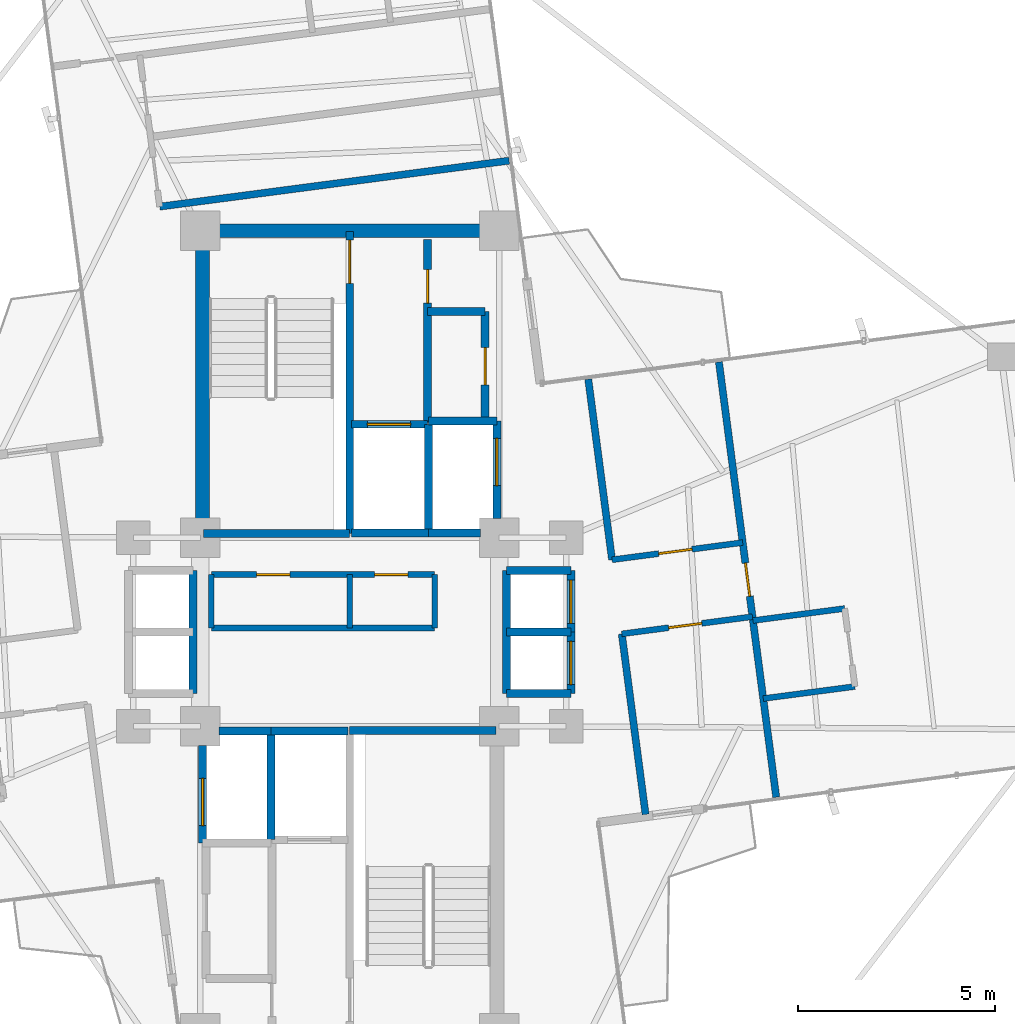
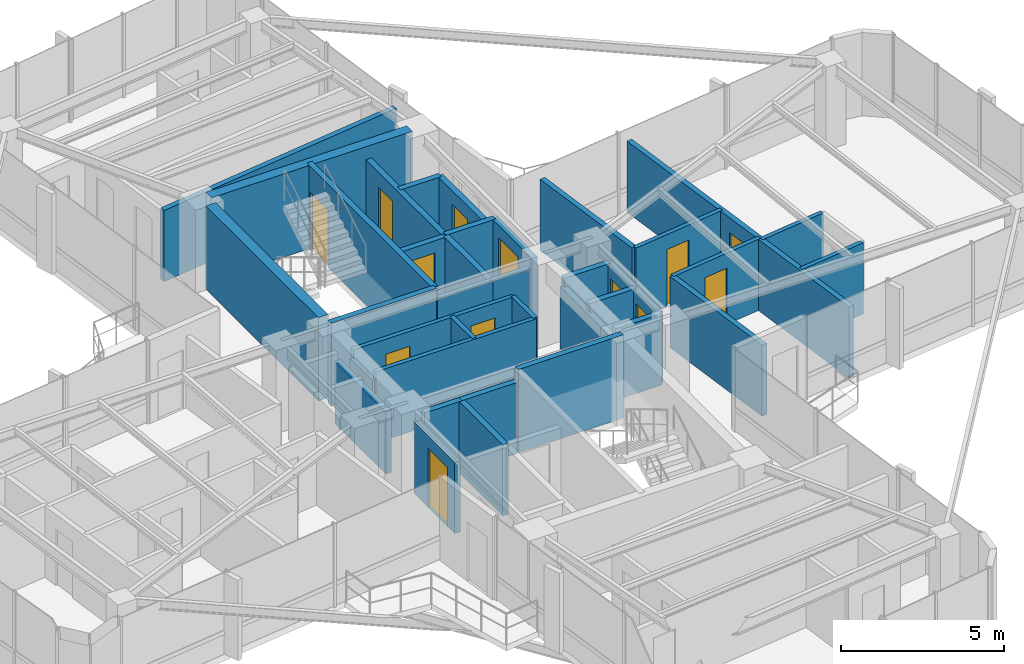
# One storey, part 20 of 22: 38 walls, 13 doors, 13 openings.
"""IFC4 building model written with IfcOpenShell, lengths in metres."""

from ifc_helpers import new_model, si_unit, direction, frame, frame_2d, origin, origin_2d, place, context, subcontext, project, spatial, rectangle, extrude, source, transform, mapped, material, layer, layer_set, type_object, element, fill, save


model = new_model("IFC4")

# Units and contexts
model_context = context("Model", 3, precision=1e-05, world=origin(), true_north=direction((0.0, 1.0)))
body_context = subcontext(model_context, "Body", "Model", "MODEL_VIEW")
ifc_project = project(units=[si_unit("LENGTHUNIT", "METRE"), si_unit("AREAUNIT", "SQUARE_METRE"), si_unit("VOLUMEUNIT", "CUBIC_METRE"), si_unit("PLANEANGLEUNIT", "RADIAN"), si_unit("MASSUNIT", "GRAM", prefix="KILO")], contexts=[model_context])

# Site, building, storey
site_placement = place(None, origin())
site = spatial("IfcSite", under=ifc_project, at=site_placement, CompositionType="ELEMENT")
building_placement = place(site_placement, origin())
building = spatial("IfcBuilding", under=site, at=building_placement, Name="Sahyath Konkavel Grand Hotel", CompositionType="ELEMENT")
storey_placement = place(building_placement, frame((0.0, 0.0, 234.449951171875)))
storey = spatial("IfcBuildingStorey", under=building, at=storey_placement, Name="L65", CompositionType="ELEMENT", Elevation=234.449951171875)

# Walls
ifc_material_1 = material(Name="Concrete C40/50", Category="concrete")
ifc_layer_1 = layer(ifc_material_1, 0.35009765625)
ifc_layer_set_1 = layer_set([ifc_layer_1], Name="Concrete C40/50")
wall_type_1 = type_object("IfcWallType", Name="CWALL-350", PredefinedType="SHEAR", material=ifc_layer_set_1)
wall_1_placement = place(storey_placement, frame((-3.550048828125, 10.199951171875, 0.0), z_axis=(0.0, 0.0, 1.0), x_axis=(1.0, 0.0, 0.0)))
element("IfcWall", 1, at=wall_1_placement, inside=storey, type_object=wall_type_1, Name="L65 North Core Shear Wall N", PredefinedType="SHEAR", context=body_context, shape_type="SweptSolid", body=[
    extrude(rectangle(XDim=7.10009765625, YDim=0.35009765625, at=frame_2d((3.550048828125, 0.0))), origin(), (0.0, 0.0, 1.0), 3.110107421875),
])
wall_2_placement = place(storey_placement, frame((-3.739990234375, 2.85009765625, 0.0), z_axis=(0.0, 0.0, 1.0), x_axis=(0.0, 1.0, 0.0)))
element("IfcWall", 2, at=wall_2_placement, inside=storey, type_object=wall_type_1, Name="L65 North Core Shear Wall W", PredefinedType="SHEAR", context=body_context, shape_type="SweptSolid", body=[
    extrude(rectangle(XDim=6.89990234375, YDim=0.35009765625, at=frame_2d((3.449951171875, 0.0))), origin(), (0.0, 0.0, 1.0), 3.110107421875),
])

# Wall, opening, door
ifc_layer_2 = layer(ifc_material_1, 0.199951171875)
ifc_layer_set_2 = layer_set([ifc_layer_2], Name="Concrete C40/50")
wall_type_2 = type_object("IfcWallType", Name="WLL-CORE-200", PredefinedType="SOLIDWALL", material=ifc_layer_set_2)
wall_3_placement = place(storey_placement, frame((0.0, 2.5, 0.0), z_axis=(0.0, 0.0, 1.0), x_axis=(0.0, 1.0, 0.0)))
wall_3 = element("IfcWall", 3, at=wall_3_placement, inside=storey, type_object=wall_type_2, Name="L65 Stair ST-1 Shaft Wall E", PredefinedType="SOLIDWALL", context=body_context, shape_type="SweptSolid", body=[
    extrude(rectangle(XDim=7.679931640625, YDim=0.199951171875, at=frame_2d((3.83984375, 0.0))), origin(), (0.0, 0.0, 1.0), 3.110107421875),
])
opening_1_placement = place(wall_3_placement, frame((6.360107421875, 0.0, 0.0)))
opening_1 = element("IfcOpeningElement", 4, at=opening_1_placement, cuts=wall_3, Name="Opening D-F12B", PredefinedType="OPENING", context=body_context, shape_type="SweptSolid", body=[
    extrude(rectangle(XDim=1.10009765625, YDim=2.14990234375, at=frame_2d((0.550048828125, 1.074951171875))), frame((0.0, 0.10986328125, 0.0), z_axis=(0.0, -1.0, 0.0), x_axis=(1.0, 0.0, 0.0)), (0.0, 0.0, 1.0), 0.219970703125),
])
ifc_material_2 = material(Name="Steel E350 Smokeproof Fire Door", Category="steel")
door_type_1 = type_object("IfcDoorType", Name="DR-FD120-1100", OperationType="NOTDEFINED", PredefinedType="DOOR", material=ifc_material_2)
shared_shape_1 = source(origin(), body_context, "Body", "SweptSolid", [
    extrude(rectangle(XDim=1.10009765625, YDim=0.050048828125, at=origin_2d()), origin(), (0.0, 0.0, 1.0), 2.14990234375),
])
door_1_placement = place(opening_1_placement, frame((0.550048828125, 0.0, 0.0)))
door_1 = element("IfcDoor", 5, at=door_1_placement, inside=storey, type_object=door_type_1, Name="L65 Stair ST-1 Fire Door", OperationType="SINGLE_SWING_LEFT", OverallHeight=2.14990234375, OverallWidth=1.10009765625, PredefinedType="DOOR", context=body_context, shape_type="MappedRepresentation", body=[
    mapped(shared_shape_1, transform((0.0, 0.0, 0.0), scale=1.0)),
])
fill(opening_1, door_1)

# Walls
for number, where, z_axis, x_axis, name in (
    (6, (-3.719970703125, 2.5, 0.0), (0.0, 0.0, 1.0), (1.0, 0.0, 0.0), "L65 Stair ST-1 Shaft Wall S"),
    (7, (0.0, -2.5, 0.0), (0.0, 0.0, 1.0), (1.0, 0.0, 0.0), "L65 Stair ST-2 Shaft Wall N"),
):
    element("IfcWall", number, at=place(storey_placement, frame(where, z_axis=z_axis, x_axis=x_axis)), inside=storey, type_object=wall_type_2, Name=name, PredefinedType="SOLIDWALL", context=body_context, shape_type="SweptSolid", body=[
        extrude(rectangle(XDim=3.719970703125, YDim=0.199951171875, at=frame_2d((1.85986328125, 0.0))), origin(), (0.0, 0.0, 1.0), 3.110107421875),
    ])

# Wall, opening, door
wall_4_placement = place(storey_placement, frame((1.97998046875, 5.320068359375, 0.0), z_axis=(0.0, 0.0, 1.0), x_axis=(0.0, 1.0, 0.0)))
wall_4 = element("IfcWall", 8, at=wall_4_placement, inside=storey, type_object=wall_type_2, Name="L65 North Firefighting Lobby Wall E", PredefinedType="SOLIDWALL", context=body_context, shape_type="SweptSolid", body=[
    extrude(rectangle(XDim=4.659912109375, YDim=0.199951171875, at=frame_2d((2.330078125, 0.0))), origin(), (0.0, 0.0, 1.0), 2.66015625),
])
opening_2_placement = place(wall_4_placement, frame((3.0400390625, 0.0, 0.0)))
opening_2 = element("IfcOpeningElement", 9, at=opening_2_placement, cuts=wall_4, Name="Opening D-F12D", PredefinedType="OPENING", context=body_context, shape_type="SweptSolid", body=[
    extrude(rectangle(XDim=0.85009765625, YDim=2.10009765625, at=frame_2d((0.425048828125, 1.050048828125))), frame((0.0, 0.10986328125, 0.0), z_axis=(0.0, -1.0, 0.0), x_axis=(1.0, 0.0, 0.0)), (0.0, 0.0, 1.0), 0.219970703125),
])
ifc_material_3 = material(Name="Steel E350 Core Fire Door", Category="steel")
door_type_2 = type_object("IfcDoorType", Name="DR-FD120-850", OperationType="NOTDEFINED", PredefinedType="DOOR", material=ifc_material_3)
shared_shape_2 = source(origin(), body_context, "Body", "SweptSolid", [
    extrude(rectangle(XDim=0.85009765625, YDim=0.050048828125, at=origin_2d()), origin(), (0.0, 0.0, 1.0), 2.10009765625),
])
door_2_placement = place(opening_2_placement, frame((0.425048828125, 0.0, 0.0)))
door_2 = element("IfcDoor", 10, at=door_2_placement, inside=storey, type_object=door_type_2, Name="L65 North Firefighting Lobby Door", OperationType="SINGLE_SWING_LEFT", OverallHeight=2.10009765625, OverallWidth=0.85009765625, PredefinedType="DOOR", context=body_context, shape_type="MappedRepresentation", body=[
    mapped(shared_shape_2, transform((0.0, 0.0, 0.0), scale=1.0)),
])
fill(opening_2, door_2)

# Walls
wall_5_placement = place(storey_placement, frame((2.0, 2.5, 0.0), z_axis=(0.0, 0.0, 1.0), x_axis=(0.0, 1.0, 0.0)))
element("IfcWall", 11, at=wall_5_placement, inside=storey, type_object=wall_type_2, Name="L65 Partition SH-FFL1-E", PredefinedType="SOLIDWALL", context=body_context, shape_type="SweptSolid", body=[
    extrude(rectangle(XDim=2.780029296875, YDim=0.199951171875, at=frame_2d((1.39013671875, 0.0))), origin(), (0.0, 0.0, 1.0), 2.66015625),
])
wall_6_placement = place(storey_placement, frame((0.050048828125, 2.52001953125, 0.0), z_axis=(0.0, 0.0, 1.0), x_axis=(1.0, 0.0, 0.0)))
element("IfcWall", 12, at=wall_6_placement, inside=storey, type_object=wall_type_2, Name="L65 Partition SH-FFL1-S", PredefinedType="SOLIDWALL", context=body_context, shape_type="SweptSolid", body=[
    extrude(rectangle(XDim=1.949951171875, YDim=0.199951171875, at=frame_2d((0.97509765625, 0.0))), origin(), (0.0, 0.0, 1.0), 2.66015625),
])

# Wall, opening, door
wall_7_placement = place(storey_placement, frame((0.050048828125, 5.280029296875, 0.0), z_axis=(0.0, 0.0, 1.0), x_axis=(1.0, 0.0, 0.0)))
wall_7 = element("IfcWall", 13, at=wall_7_placement, inside=storey, type_object=wall_type_2, Name="L65 Partition SH-FFL1-N", PredefinedType="SOLIDWALL", context=body_context, shape_type="SweptSolid", body=[
    extrude(rectangle(XDim=1.929931640625, YDim=0.199951171875, at=frame_2d((0.96484375, 0.0))), origin(), (0.0, 0.0, 1.0), 2.66015625),
])
opening_3_placement = place(wall_7_placement, frame((0.39990234375, 0.0, 0.0)))
opening_3 = element("IfcOpeningElement", 14, at=opening_3_placement, cuts=wall_7, Name="Opening LD-11", PredefinedType="OPENING", context=body_context, shape_type="SweptSolid", body=[
    extrude(rectangle(XDim=1.10009765625, YDim=2.199951171875, at=frame_2d((0.550048828125, 1.10009765625))), frame((0.0, 0.10986328125, 0.0), z_axis=(0.0, -1.0, 0.0), x_axis=(1.0, 0.0, 0.0)), (0.0, 0.0, 1.0), 0.219970703125),
])
ifc_material_4 = material(Name="Bronze Lift Landing Door 1100")
door_type_3 = type_object("IfcDoorType", Name="DR-LIFT-1100", OperationType="DOUBLE_DOOR_SLIDING", PredefinedType="DOOR", material=ifc_material_4)
shared_shape_3 = source(origin(), body_context, "Body", "SweptSolid", [
    extrude(rectangle(XDim=1.10009765625, YDim=0.050048828125, at=origin_2d()), origin(), (0.0, 0.0, 1.0), 2.199951171875),
])
door_3_placement = place(opening_3_placement, frame((0.550048828125, 0.0, 0.0)))
door_3 = element("IfcDoor", 15, at=door_3_placement, inside=storey, type_object=door_type_3, Name="L65 Lift FFL-1 Landing Door", OperationType="DOUBLE_DOOR_SLIDING", OverallHeight=2.199951171875, OverallWidth=1.10009765625, PredefinedType="DOOR", context=body_context, shape_type="MappedRepresentation", body=[
    mapped(shared_shape_3, transform((0.0, 0.0, 0.0), scale=1.0)),
])
fill(opening_3, door_3)

# Walls
wall_8_placement = place(storey_placement, frame((-2.0, -5.280029296875, 0.0), z_axis=(0.0, 0.0, 1.0), x_axis=(0.0, 1.0, 0.0)))
element("IfcWall", 16, at=wall_8_placement, inside=storey, type_object=wall_type_2, Name="L65 Partition SH-FFL2-W", PredefinedType="SOLIDWALL", context=body_context, shape_type="SweptSolid", body=[
    extrude(rectangle(XDim=2.780029296875, YDim=0.199951171875, at=frame_2d((1.39013671875, 0.0))), origin(), (0.0, 0.0, 1.0), 2.66015625),
])
wall_9_placement = place(storey_placement, frame((-2.0, -2.52001953125, 0.0), z_axis=(0.0, 0.0, 1.0), x_axis=(1.0, 0.0, 0.0)))
element("IfcWall", 17, at=wall_9_placement, inside=storey, type_object=wall_type_2, Name="L65 Partition SH-FFL2-N", PredefinedType="SOLIDWALL", context=body_context, shape_type="SweptSolid", body=[
    extrude(rectangle(XDim=1.949951171875, YDim=0.199951171875, at=frame_2d((0.97509765625, 0.0))), origin(), (0.0, 0.0, 1.0), 2.66015625),
])
wall_10_placement = place(storey_placement, frame((2.0, 2.52001953125, 0.0), z_axis=(0.0, 0.0, 1.0), x_axis=(1.0, 0.0, 0.0)))
element("IfcWall", 18, at=wall_10_placement, inside=storey, type_object=wall_type_2, Name="L65 Partition SH-SVL1-S", PredefinedType="SOLIDWALL", context=body_context, shape_type="SweptSolid", body=[
    extrude(rectangle(XDim=1.320068359375, YDim=0.199951171875, at=frame_2d((0.66015625, 0.0))), origin(), (0.0, 0.0, 1.0), 2.66015625),
])
wall_11_placement = place(storey_placement, frame((2.0, 5.360107421875, 0.0), z_axis=(0.0, 0.0, 1.0), x_axis=(1.0, 0.0, 0.0)))
element("IfcWall", 19, at=wall_11_placement, inside=storey, type_object=wall_type_2, Name="L65 Partition SH-SVL1-N", PredefinedType="SOLIDWALL", context=body_context, shape_type="SweptSolid", body=[
    extrude(rectangle(XDim=1.739990234375, YDim=0.199951171875, at=frame_2d((0.8701171875, 0.0))), origin(), (0.0, 0.0, 1.0), 2.66015625),
])

# Wall, opening, door
wall_12_placement = place(storey_placement, frame((3.739990234375, 2.8798828125, 0.0), z_axis=(0.0, 0.0, 1.0), x_axis=(0.0, 1.0, 0.0)))
wall_12 = element("IfcWall", 20, at=wall_12_placement, inside=storey, type_object=wall_type_2, Name="L65 Partition SH-SVL1-E", PredefinedType="SOLIDWALL", context=body_context, shape_type="SweptSolid", body=[
    extrude(rectangle(XDim=2.480224609375, YDim=0.199951171875, at=frame_2d((1.240234375, 0.0))), origin(), (0.0, 0.0, 1.0), 2.66015625),
])
opening_4_placement = place(wall_12_placement, frame((0.840087890625, 0.0, 0.0)))
opening_4 = element("IfcOpeningElement", 21, at=opening_4_placement, cuts=wall_12, Name="Opening LD-12", PredefinedType="OPENING", context=body_context, shape_type="SweptSolid", body=[
    extrude(rectangle(XDim=1.199951171875, YDim=2.199951171875, at=frame_2d((0.60009765625, 1.10009765625))), frame((0.0, 0.10986328125, 0.0), z_axis=(0.0, -1.0, 0.0), x_axis=(1.0, 0.0, 0.0)), (0.0, 0.0, 1.0), 0.219970703125),
])
ifc_material_5 = material(Name="Stainless Steel Lift Landing Door 1200", Category="steel")
door_type_4 = type_object("IfcDoorType", Name="DR-LIFT-1200", OperationType="DOUBLE_DOOR_SLIDING", PredefinedType="DOOR", material=ifc_material_5)
shared_shape_4 = source(origin(), body_context, "Body", "SweptSolid", [
    extrude(rectangle(XDim=1.199951171875, YDim=0.050048828125, at=origin_2d()), origin(), (0.0, 0.0, 1.0), 2.199951171875),
])
door_4_placement = place(opening_4_placement, frame((0.60009765625, 0.0, 0.0)))
door_4 = element("IfcDoor", 22, at=door_4_placement, inside=storey, type_object=door_type_4, Name="L65 Service Lift SVL-1 Landing Door", OperationType="DOUBLE_DOOR_SLIDING", OverallHeight=2.199951171875, OverallWidth=1.199951171875, PredefinedType="DOOR", context=body_context, shape_type="MappedRepresentation", body=[
    mapped(shared_shape_4, transform((0.0, 0.0, 0.0), scale=1.0)),
])
fill(opening_4, door_4)

# Wall
wall_13_placement = place(storey_placement, frame((-3.320068359375, -2.52001953125, 0.0), z_axis=(0.0, 0.0, 1.0), x_axis=(1.0, 0.0, 0.0)))
element("IfcWall", 23, at=wall_13_placement, inside=storey, type_object=wall_type_2, Name="L65 Partition SH-SVL2-N", PredefinedType="SOLIDWALL", context=body_context, shape_type="SweptSolid", body=[
    extrude(rectangle(XDim=1.320068359375, YDim=0.199951171875, at=frame_2d((0.66015625, 0.0))), origin(), (0.0, 0.0, 1.0), 2.66015625),
])

# Wall, opening, door
wall_14_placement = place(storey_placement, frame((-3.739990234375, -5.360107421875, 0.0), z_axis=(0.0, 0.0, 1.0), x_axis=(0.0, 1.0, 0.0)))
wall_14 = element("IfcWall", 24, at=wall_14_placement, inside=storey, type_object=wall_type_2, Name="L65 Partition SH-SVL2-W", PredefinedType="SOLIDWALL", context=body_context, shape_type="SweptSolid", body=[
    extrude(rectangle(XDim=2.480224609375, YDim=0.199951171875, at=frame_2d((1.240234375, 0.0))), origin(), (0.0, 0.0, 1.0), 2.66015625),
])
opening_5_placement = place(wall_14_placement, frame((0.43994140625, 0.0, 0.0)))
opening_5 = element("IfcOpeningElement", 25, at=opening_5_placement, cuts=wall_14, Name="Opening LD-12", PredefinedType="OPENING", context=body_context, shape_type="SweptSolid", body=[
    extrude(rectangle(XDim=1.199951171875, YDim=2.199951171875, at=frame_2d((0.60009765625, 1.10009765625))), frame((0.0, 0.10986328125, 0.0), z_axis=(0.0, -1.0, 0.0), x_axis=(1.0, 0.0, 0.0)), (0.0, 0.0, 1.0), 0.219970703125),
])
door_5_placement = place(opening_5_placement, frame((0.60009765625, 0.0, 0.0)))
door_5 = element("IfcDoor", 26, at=door_5_placement, inside=storey, type_object=door_type_4, Name="L65 Service Lift SVL-2 Landing Door", OperationType="DOUBLE_DOOR_SLIDING", OverallHeight=2.199951171875, OverallWidth=1.199951171875, PredefinedType="DOOR", context=body_context, shape_type="MappedRepresentation", body=[
    mapped(shared_shape_4, transform((0.0, 0.0, 0.0), scale=1.0)),
])
fill(opening_5, door_5)

# Walls
wall_15_placement = place(storey_placement, frame((3.97998046875, -1.56005859375, 0.0), z_axis=(0.0, 0.0, 1.0), x_axis=(0.0, 1.0, 0.0)))
element("IfcWall", 27, at=wall_15_placement, inside=storey, type_object=wall_type_2, Name="L65 Partition SH-PL56-W", PredefinedType="SOLIDWALL", context=body_context, shape_type="SweptSolid", body=[
    extrude(rectangle(XDim=3.1201171875, YDim=0.199951171875, at=frame_2d((1.56005859375, 0.0))), origin(), (0.0, 0.0, 1.0), 2.330078125),
])
for number, where, z_axis, x_axis, name in (
    (28, (3.97998046875, 1.56005859375, 0.0), (0.0, 0.0, 1.0), (1.0, 0.0, 0.0), "L65 Partition SH-PL56-N"),
    (29, (3.97998046875, -1.56005859375, 0.0), (0.0, 0.0, 1.0), (1.0, 0.0, 0.0), "L65 Partition SH-PL56-S"),
    (30, (3.97998046875, 0.0, 0.0), (0.0, 0.0, 1.0), (1.0, 0.0, 0.0), "L65 Partition SH-PL56-M"),
):
    element("IfcWall", number, at=place(storey_placement, frame(where, z_axis=z_axis, x_axis=x_axis)), inside=storey, type_object=wall_type_2, Name=name, PredefinedType="SOLIDWALL", context=body_context, shape_type="SweptSolid", body=[
        extrude(rectangle(XDim=1.64013671875, YDim=0.199951171875, at=frame_2d((0.820068359375, 0.0))), origin(), (0.0, 0.0, 1.0), 2.66015625),
    ])

# Wall, opening, door
wall_16_placement = place(storey_placement, frame((5.6201171875, 0.0, 0.0), z_axis=(0.0, 0.0, 1.0), x_axis=(0.0, 1.0, 0.0)))
wall_16 = element("IfcWall", 31, at=wall_16_placement, inside=storey, type_object=wall_type_2, Name="L65 Partition SH-PL5-E", PredefinedType="SOLIDWALL", context=body_context, shape_type="SweptSolid", body=[
    extrude(rectangle(XDim=1.56005859375, YDim=0.199951171875, at=frame_2d((0.780029296875, 0.0))), origin(), (0.0, 0.0, 1.0), 2.66015625),
])
opening_6_placement = place(wall_16_placement, frame((0.219970703125, 0.0, 0.0)))
opening_6 = element("IfcOpeningElement", 32, at=opening_6_placement, cuts=wall_16, Name="Opening LD-11", PredefinedType="OPENING", context=body_context, shape_type="SweptSolid", body=[
    extrude(rectangle(XDim=1.10009765625, YDim=2.199951171875, at=frame_2d((0.550048828125, 1.10009765625))), frame((0.0, 0.10986328125, 0.0), z_axis=(0.0, -1.0, 0.0), x_axis=(1.0, 0.0, 0.0)), (0.0, 0.0, 1.0), 0.219970703125),
])
door_6_placement = place(opening_6_placement, frame((0.550048828125, 0.0, 0.0)))
door_6 = element("IfcDoor", 33, at=door_6_placement, inside=storey, type_object=door_type_3, Name="L65 High-Rise Lift PL-5 Landing Door", OperationType="DOUBLE_DOOR_SLIDING", OverallHeight=2.199951171875, OverallWidth=1.10009765625, PredefinedType="DOOR", context=body_context, shape_type="MappedRepresentation", body=[
    mapped(shared_shape_3, transform((0.0, 0.0, 0.0), scale=1.0)),
])
fill(opening_6, door_6)

wall_17_placement = place(storey_placement, frame((5.6201171875, -1.56005859375, 0.0), z_axis=(0.0, 0.0, 1.0), x_axis=(0.0, 1.0, 0.0)))
wall_17 = element("IfcWall", 34, at=wall_17_placement, inside=storey, type_object=wall_type_2, Name="L65 Partition SH-PL6-E", PredefinedType="SOLIDWALL", context=body_context, shape_type="SweptSolid", body=[
    extrude(rectangle(XDim=1.56005859375, YDim=0.199951171875, at=frame_2d((0.780029296875, 0.0))), origin(), (0.0, 0.0, 1.0), 2.66015625),
])
opening_7_placement = place(wall_17_placement, frame((0.219970703125, 0.0, 0.0)))
opening_7 = element("IfcOpeningElement", 35, at=opening_7_placement, cuts=wall_17, Name="Opening LD-11", PredefinedType="OPENING", context=body_context, shape_type="SweptSolid", body=[
    extrude(rectangle(XDim=1.10009765625, YDim=2.199951171875, at=frame_2d((0.550048828125, 1.10009765625))), frame((0.0, 0.10986328125, 0.0), z_axis=(0.0, -1.0, 0.0), x_axis=(1.0, 0.0, 0.0)), (0.0, 0.0, 1.0), 0.219970703125),
])
door_7_placement = place(opening_7_placement, frame((0.550048828125, 0.0, 0.0)))
door_7 = element("IfcDoor", 36, at=door_7_placement, inside=storey, type_object=door_type_3, Name="L65 High-Rise Lift PL-6 Landing Door", OperationType="DOUBLE_DOOR_SLIDING", OverallHeight=2.199951171875, OverallWidth=1.10009765625, PredefinedType="DOOR", context=body_context, shape_type="MappedRepresentation", body=[
    mapped(shared_shape_3, transform((0.0, 0.0, 0.0), scale=1.0)),
])
fill(opening_7, door_7)

# Wall
wall_18_placement = place(storey_placement, frame((-3.97998046875, -1.56005859375, 0.0), z_axis=(0.0, 0.0, 1.0), x_axis=(0.0, 1.0, 0.0)))
element("IfcWall", 37, at=wall_18_placement, inside=storey, type_object=wall_type_2, Name="L65 Partition SH-SL12-E", PredefinedType="SOLIDWALL", context=body_context, shape_type="SweptSolid", body=[
    extrude(rectangle(XDim=3.1201171875, YDim=0.199951171875, at=frame_2d((1.56005859375, 0.0))), origin(), (0.0, 0.0, 1.0), 2.330078125),
])

# Wall, opening, door
wall_19_placement = place(storey_placement, frame((3.43994140625, 5.3798828125, 0.0), z_axis=(0.0, 0.0, 1.0), x_axis=(0.0, 1.0, 0.0)))
wall_19 = element("IfcWall", 38, at=wall_19_placement, inside=storey, type_object=wall_type_2, Name="L65 Reclaimed North Core Wall E", PredefinedType="SOLIDWALL", context=body_context, shape_type="SweptSolid", body=[
    extrude(rectangle(XDim=2.77001953125, YDim=0.199951171875, at=frame_2d((1.385009765625, 0.0))), origin(), (0.0, 0.0, 1.0), 2.66015625),
])
opening_8_placement = place(wall_19_placement, frame((0.89990234375, 0.0, 0.0)))
opening_8 = element("IfcOpeningElement", 39, at=opening_8_placement, cuts=wall_19, Name="Opening D-F06B", PredefinedType="OPENING", context=body_context, shape_type="SweptSolid", body=[
    extrude(rectangle(XDim=0.949951171875, YDim=2.14990234375, at=frame_2d((0.47509765625, 1.074951171875))), frame((0.0, 0.10986328125, 0.0), z_axis=(0.0, -1.0, 0.0), x_axis=(1.0, 0.0, 0.0)), (0.0, 0.0, 1.0), 0.219970703125),
])
ifc_material_6 = material(Name="Teak Veneer Fire-Rated Guest Entrance Door")
door_type_5 = type_object("IfcDoorType", Name="DR-FD60-950", OperationType="NOTDEFINED", PredefinedType="DOOR", material=ifc_material_6)
shared_shape_5 = source(origin(), body_context, "Body", "SweptSolid", [
    extrude(rectangle(XDim=0.949951171875, YDim=0.050048828125, at=origin_2d()), origin(), (0.0, 0.0, 1.0), 2.14990234375),
])
door_8_placement = place(opening_8_placement, frame((0.47509765625, 0.0, 0.0)))
door_8 = element("IfcDoor", 40, at=door_8_placement, inside=storey, type_object=door_type_5, Name="L65 Door NC-REC1-D", OperationType="SINGLE_SWING_LEFT", OverallHeight=2.14990234375, OverallWidth=0.949951171875, PredefinedType="DOOR", context=body_context, shape_type="MappedRepresentation", body=[
    mapped(shared_shape_5, transform((0.0, 0.0, 0.0), scale=1.0)),
])
fill(opening_8, door_8)

# Walls
wall_20_placement = place(storey_placement, frame((1.97998046875, 8.14990234375, 0.0), z_axis=(0.0, 0.0, 1.0), x_axis=(1.0, 0.0, 0.0)))
element("IfcWall", 41, at=wall_20_placement, inside=storey, type_object=wall_type_2, Name="L65 Partition NC-REC-N", PredefinedType="SOLIDWALL", context=body_context, shape_type="SweptSolid", body=[
    extrude(rectangle(XDim=1.4599609375, YDim=0.199951171875, at=frame_2d((0.72998046875, 0.0))), origin(), (0.0, 0.0, 1.0), 2.66015625),
])
ifc_material_7 = material(Name="Twin-Stud Acoustic Gypsum Plasterboard Partition")
ifc_layer_3 = layer(ifc_material_7, 0.179931640625)
ifc_layer_set_3 = layer_set([ifc_layer_3], Name="Twin-Stud Acoustic Gypsum Plasterboard Partition")
wall_type_3 = type_object("IfcWallType", Name="WLL-DEMISE-180", PredefinedType="PARTITIONING", material=ifc_layer_set_3)
for number, where, z_axis, x_axis, name in (
    (42, (6.66748046875, 1.8359375, 0.0), (0.0, 0.0, 1.0), (-0.130536371683, 0.991443521169, 0.0), "L65 Partition E-INL"),
    (43, (7.51953125, -4.63720703125, 0.0), (0.0, 0.0, 1.0), (-0.130536371683, 0.991443521169, 0.0), "L65 Partition E-INR"),
):
    element("IfcWall", number, at=place(storey_placement, frame(where, z_axis=z_axis, x_axis=x_axis)), inside=storey, type_object=wall_type_3, Name=name, PredefinedType="PARTITIONING", context=body_context, shape_type="SweptSolid", body=[
        extrude(rectangle(XDim=4.62890625, YDim=0.179931640625, at=frame_2d((2.314453125, 0.0))), origin(), (0.0, 0.0, 1.0), 2.66015625),
    ])

# Wall, opening, door
wall_21_placement = place(storey_placement, frame((10.8408203125, -4.199951171875, 0.0), z_axis=(0.0, 0.0, 1.0), x_axis=(-0.130516772493, 0.991446101459, 0.0)))
wall_21 = element("IfcWall", 44, at=wall_21_placement, inside=storey, type_object=wall_type_3, Name="L65 Partition E-ETIP-END", PredefinedType="PARTITIONING", context=body_context, shape_type="SweptSolid", body=[
    extrude(rectangle(XDim=11.157958984375, YDim=0.179931640625, at=frame_2d((5.5791015625, 0.0))), origin(), (0.0, 0.0, 1.0), 2.66015625),
])
opening_9_placement = place(wall_21_placement, frame((5.154052734375, 0.0, 0.0)))
opening_9 = element("IfcOpeningElement", 45, at=opening_9_placement, cuts=wall_21, Name="Opening D-F06D", PredefinedType="OPENING", context=body_context, shape_type="SweptSolid", body=[
    extrude(rectangle(XDim=0.85009765625, YDim=2.10009765625, at=frame_2d((0.425048828125, 1.050048828125))), frame((0.0, 0.10009765625, 0.0), z_axis=(0.0, -1.0, 0.0), x_axis=(1.0, 0.0, 0.0)), (0.0, 0.0, 1.0), 0.199951171875),
])
ifc_material_8 = material(Name="Fire-Rated Shaft Access Door")
door_type_6 = type_object("IfcDoorType", Name="DR-FD60-850", OperationType="NOTDEFINED", PredefinedType="DOOR", material=ifc_material_8)
door_9_placement = place(opening_9_placement, frame((0.425048828125, 0.0, 0.0)))
door_9 = element("IfcDoor", 46, at=door_9_placement, inside=storey, type_object=door_type_6, Name="L65 Door E-ETIP-ED", OperationType="SINGLE_SWING_RIGHT", OverallHeight=2.10009765625, OverallWidth=0.85009765625, PredefinedType="DOOR", context=body_context, shape_type="MappedRepresentation", body=[
    mapped(shared_shape_2, transform((0.0, 0.0, 0.0), scale=1.0)),
])
fill(opening_9, door_9)

# Walls
wall_22_placement = place(storey_placement, frame((4.0498046875, 11.981201171875, 0.0), z_axis=(0.0, 0.0, 1.0), x_axis=(-0.991445759155, -0.130519372714, 0.0)))
element("IfcWall", 47, at=wall_22_placement, inside=storey, type_object=wall_type_3, Name="L65 Partition N-G5I", PredefinedType="PARTITIONING", context=body_context, shape_type="SweptSolid", body=[
    extrude(rectangle(XDim=8.9580078125, YDim=0.179931640625, at=frame_2d((4.47900390625, 0.0))), origin(), (0.0, 0.0, 1.0), 2.66015625),
])
ifc_material_9 = material(Name="Fire-Rated Gypsum Plasterboard Partition")
ifc_layer_4 = layer(ifc_material_9, 0.14990234375)
ifc_layer_set_4 = layer_set([ifc_layer_4], Name="Fire-Rated Gypsum Plasterboard Partition")
wall_type_4 = type_object("IfcWallType", Name="WLL-PART-150", PredefinedType="PARTITIONING", material=ifc_layer_set_4)
wall_23_placement = place(storey_placement, frame((-3.52001953125, 0.10009765625, 0.0), z_axis=(0.0, 0.0, 1.0), x_axis=(1.0, 0.0, 0.0)))
element("IfcWall", 48, at=wall_23_placement, inside=storey, type_object=wall_type_4, Name="L65 Partition CC-S0-FIX", PredefinedType="PARTITIONING", context=body_context, shape_type="SweptSolid", body=[
    extrude(rectangle(XDim=5.679931640625, YDim=0.14990234375, at=frame_2d((2.83984375, 0.0))), origin(), (0.0, 0.0, 1.0), 2.66015625),
])

# Wall, openings, doors
wall_24_placement = place(storey_placement, frame((-3.52001953125, 1.4599609375, 0.0), z_axis=(0.0, 0.0, 1.0), x_axis=(1.0, 0.0, 0.0)))
wall_24 = element("IfcWall", 49, at=wall_24_placement, inside=storey, type_object=wall_type_4, Name="L65 Partition CC-N0", PredefinedType="PARTITIONING", context=body_context, shape_type="SweptSolid", body=[
    extrude(rectangle(XDim=5.679931640625, YDim=0.14990234375, at=frame_2d((2.83984375, 0.0))), origin(), (0.0, 0.0, 1.0), 2.66015625),
])
opening_10_placement = place(wall_24_placement, frame((1.14990234375, 0.0, 0.0)))
opening_10 = element("IfcOpeningElement", 50, at=opening_10_placement, cuts=wall_24, Name="Opening D-F06D", PredefinedType="OPENING", context=body_context, shape_type="SweptSolid", body=[
    extrude(rectangle(XDim=0.85009765625, YDim=2.10009765625, at=frame_2d((0.425048828125, 1.050048828125))), frame((0.0, 0.0849609375, 0.0), z_axis=(0.0, -1.0, 0.0), x_axis=(1.0, 0.0, 0.0)), (0.0, 0.0, 1.0), 0.169921875),
])
opening_11_placement = place(wall_24_placement, frame((4.14990234375, 0.0, 0.0)))
opening_11 = element("IfcOpeningElement", 51, at=opening_11_placement, cuts=wall_24, Name="Opening D-F06D", PredefinedType="OPENING", context=body_context, shape_type="SweptSolid", body=[
    extrude(rectangle(XDim=0.85009765625, YDim=2.10009765625, at=frame_2d((0.425048828125, 1.050048828125))), frame((0.0, 0.0849609375, 0.0), z_axis=(0.0, -1.0, 0.0), x_axis=(1.0, 0.0, 0.0)), (0.0, 0.0, 1.0), 0.169921875),
])
door_10_placement = place(opening_10_placement, frame((0.425048828125, 0.0, 0.0)))
door_10 = element("IfcDoor", 52, at=door_10_placement, inside=storey, type_object=door_type_6, Name="L65 Door CC-D0A", OperationType="SINGLE_SWING_LEFT", OverallHeight=2.10009765625, OverallWidth=0.85009765625, PredefinedType="DOOR", context=body_context, shape_type="MappedRepresentation", body=[
    mapped(shared_shape_2, transform((0.0, 0.0, 0.0), scale=1.0)),
])
fill(opening_10, door_10)
door_11_placement = place(opening_11_placement, frame((0.425048828125, 0.0, 0.0)))
door_11 = element("IfcDoor", 53, at=door_11_placement, inside=storey, type_object=door_type_6, Name="L65 Door CC-D0B", OperationType="SINGLE_SWING_RIGHT", OverallHeight=2.10009765625, OverallWidth=0.85009765625, PredefinedType="DOOR", context=body_context, shape_type="MappedRepresentation", body=[
    mapped(shared_shape_2, transform((0.0, 0.0, 0.0), scale=1.0)),
])
fill(opening_11, door_11)

# Walls
wall_25_placement = place(storey_placement, frame((-3.52001953125, 0.10009765625, 0.0), z_axis=(0.0, 0.0, 1.0), x_axis=(0.0, 1.0, 0.0)))
element("IfcWall", 54, at=wall_25_placement, inside=storey, type_object=wall_type_4, Name="L65 Partition CC-W0", PredefinedType="PARTITIONING", context=body_context, shape_type="SweptSolid", body=[
    extrude(rectangle(XDim=1.35986328125, YDim=0.14990234375, at=frame_2d((0.679931640625, 0.0))), origin(), (0.0, 0.0, 1.0), 2.330078125),
])
for number, where, z_axis, x_axis, name in (
    (55, (2.159912109375, 0.10009765625, 0.0), (0.0, 0.0, 1.0), (0.0, 1.0, 0.0), "L65 Partition CC-E0"),
    (56, (0.0, 0.10009765625, 0.0), (0.0, 0.0, 1.0), (0.0, 1.0, 0.0), "L65 Partition CC-M0"),
):
    element("IfcWall", number, at=place(storey_placement, frame(where, z_axis=z_axis, x_axis=x_axis)), inside=storey, type_object=wall_type_4, Name=name, PredefinedType="PARTITIONING", context=body_context, shape_type="SweptSolid", body=[
        extrude(rectangle(XDim=1.35986328125, YDim=0.14990234375, at=frame_2d((0.679931640625, 0.0))), origin(), (0.0, 0.0, 1.0), 2.66015625),
    ])

# Wall, opening, door
wall_26_placement = place(storey_placement, frame((6.66748046875, 1.8359375, 0.0), z_axis=(0.0, 0.0, 1.0), x_axis=(0.991444866817, 0.130526150873, 0.0)))
wall_26 = element("IfcWall", 57, at=wall_26_placement, inside=storey, type_object=wall_type_4, Name="L65 Partition E-CL", PredefinedType="PARTITIONING", context=body_context, shape_type="SweptSolid", body=[
    extrude(rectangle(XDim=3.349853515625, YDim=0.14990234375, at=frame_2d((1.6748046875, 0.0))), origin(), (0.0, 0.0, 1.0), 2.66015625),
])
opening_12_placement = place(wall_26_placement, frame((1.199951171875, 0.0, 0.0)))
opening_12 = element("IfcOpeningElement", 58, at=opening_12_placement, cuts=wall_26, Name="Opening D-F06D", PredefinedType="OPENING", context=body_context, shape_type="SweptSolid", body=[
    extrude(rectangle(XDim=0.85009765625, YDim=2.10009765625, at=frame_2d((0.425048828125, 1.050048828125))), frame((0.0, 0.0849609375, 0.0), z_axis=(0.0, -1.0, 0.0), x_axis=(1.0, 0.0, 0.0)), (0.0, 0.0, 1.0), 0.169921875),
])
door_12_placement = place(opening_12_placement, frame((0.425048828125, 0.0, 0.0)))
door_12 = element("IfcDoor", 59, at=door_12_placement, inside=storey, type_object=door_type_6, Name="L65 Door E-ES3L-D", OperationType="SINGLE_SWING_LEFT", OverallHeight=2.10009765625, OverallWidth=0.85009765625, PredefinedType="DOOR", context=body_context, shape_type="MappedRepresentation", body=[
    mapped(shared_shape_2, transform((0.0, 0.0, 0.0), scale=1.0)),
])
fill(opening_12, door_12)

wall_27_placement = place(storey_placement, frame((6.915283203125, -0.0478515625, 0.0), z_axis=(0.0, 0.0, 1.0), x_axis=(0.991446108327, 0.130516720324, 0.0)))
wall_27 = element("IfcWall", 60, at=wall_27_placement, inside=storey, type_object=wall_type_4, Name="L65 Partition E-CR", PredefinedType="PARTITIONING", context=body_context, shape_type="SweptSolid", body=[
    extrude(rectangle(XDim=3.35009765625, YDim=0.14990234375, at=frame_2d((1.675048828125, 0.0))), origin(), (0.0, 0.0, 1.0), 2.66015625),
])
opening_13_placement = place(wall_27_placement, frame((1.199951171875, 0.0, 0.0)))
opening_13 = element("IfcOpeningElement", 61, at=opening_13_placement, cuts=wall_27, Name="Opening D-F06D", PredefinedType="OPENING", context=body_context, shape_type="SweptSolid", body=[
    extrude(rectangle(XDim=0.85009765625, YDim=2.10009765625, at=frame_2d((0.425048828125, 1.050048828125))), frame((0.0, 0.0849609375, 0.0), z_axis=(0.0, -1.0, 0.0), x_axis=(1.0, 0.0, 0.0)), (0.0, 0.0, 1.0), 0.169921875),
])
door_13_placement = place(opening_13_placement, frame((0.425048828125, 0.0, 0.0)))
door_13 = element("IfcDoor", 62, at=door_13_placement, inside=storey, type_object=door_type_6, Name="L65 Door E-ES3R-D", OperationType="SINGLE_SWING_RIGHT", OverallHeight=2.10009765625, OverallWidth=0.85009765625, PredefinedType="DOOR", context=body_context, shape_type="MappedRepresentation", body=[
    mapped(shared_shape_2, transform((0.0, 0.0, 0.0), scale=1.0)),
])
fill(opening_13, door_13)

# Walls
wall_28_placement = place(storey_placement, frame((10.249755859375, 0.290283203125, 0.0), z_axis=(0.0, 0.0, 1.0), x_axis=(0.991436251812, 0.130591571678, 0.0)))
element("IfcWall", 63, at=wall_28_placement, inside=storey, type_object=wall_type_4, Name="L65 Partition E-ETIP-BN", PredefinedType="PARTITIONING", context=body_context, shape_type="SweptSolid", body=[
    extrude(rectangle(XDim=2.349853515625, YDim=0.14990234375, at=frame_2d((1.1748046875, 0.0))), origin(), (0.0, 0.0, 1.0), 2.66015625),
])
wall_29_placement = place(storey_placement, frame((10.5107421875, -1.6923828125, 0.0), z_axis=(0.0, 0.0, 1.0), x_axis=(0.991451466659, 0.130476010281, 0.0)))
element("IfcWall", 64, at=wall_29_placement, inside=storey, type_object=wall_type_4, Name="L65 Partition E-ETIP-BS", PredefinedType="PARTITIONING", context=body_context, shape_type="SweptSolid", body=[
    extrude(rectangle(XDim=2.35009765625, YDim=0.14990234375, at=frame_2d((1.175048828125, 0.0))), origin(), (0.0, 0.0, 1.0), 2.66015625),
])

save(model, "model.ifc")
